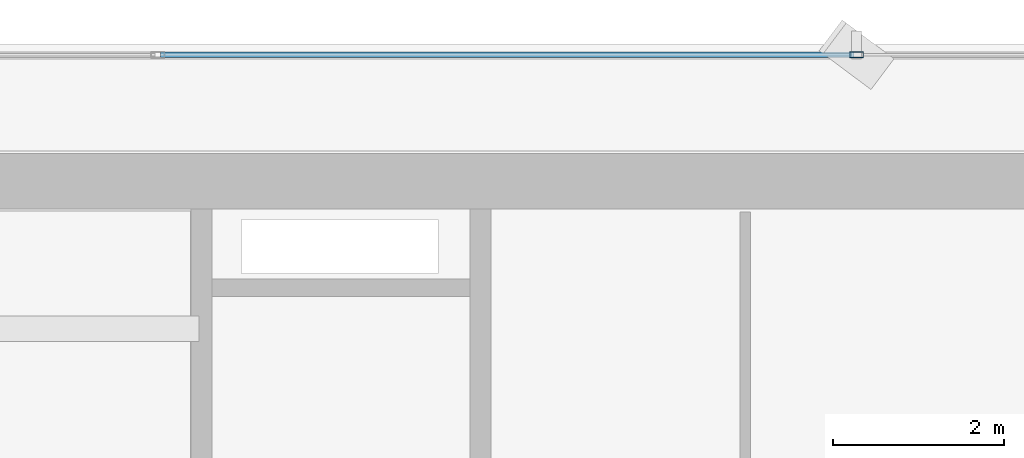
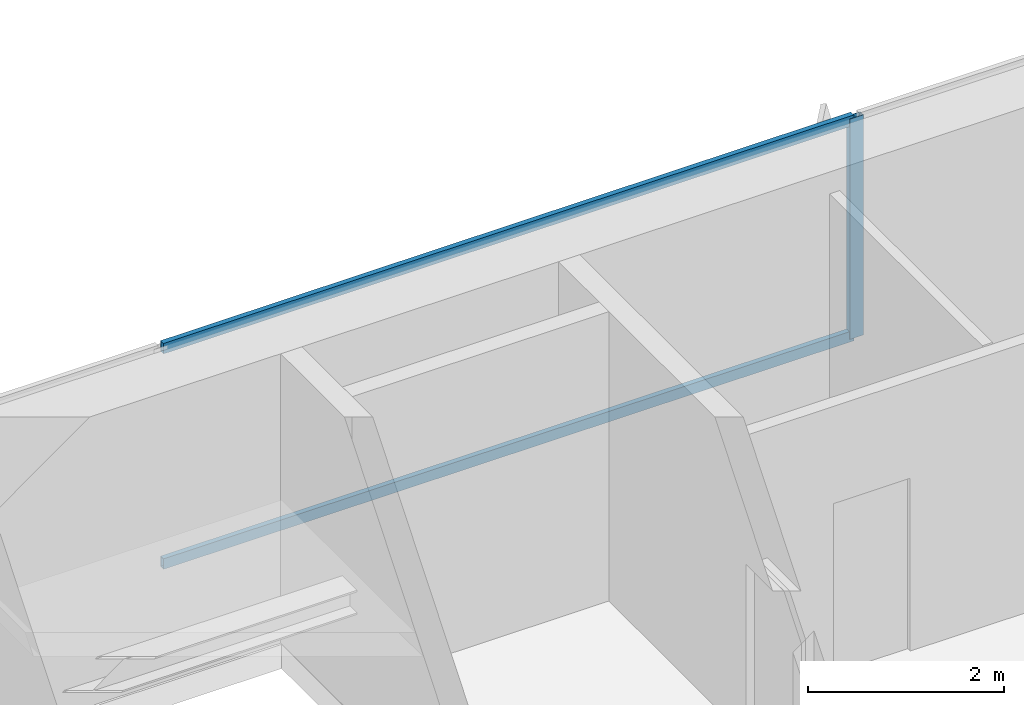
# One storey, part 21 of 36: 3 members, 1 element without a shape of its own.
"""IFC4 building model written with IfcOpenShell, lengths in metres."""

from ifc_helpers import new_model, si_unit, direction, frame, origin, origin_2d, place, context, subcontext, project, spatial, hollow_rectangle, extrude, source, transform, mapped, material, layer, layer_set, material_profile, profile_set, type_object, element, aggregate, save


model = new_model("IFC4")

# Units and contexts
model_context = context("Model", 3, precision=1e-05, world=origin(), true_north=direction((0.0, 1.0)))
body_context = subcontext(model_context, "Body", "Model", "MODEL_VIEW")
ifc_project = project(units=[si_unit("LENGTHUNIT", "METRE"), si_unit("AREAUNIT", "SQUARE_METRE"), si_unit("VOLUMEUNIT", "CUBIC_METRE"), si_unit("PLANEANGLEUNIT", "RADIAN"), si_unit("MASSUNIT", "GRAM", prefix="KILO")], contexts=[model_context])

# Site, building, storey
site_placement = place(None, origin())
site = spatial("IfcSite", under=ifc_project, at=site_placement, CompositionType="ELEMENT")
building_placement = place(site_placement, origin())
building = spatial("IfcBuilding", under=site, at=building_placement, Name="Sumidabori Civic Tower", CompositionType="ELEMENT")
storey_placement = place(building_placement, frame((0.0, 0.0, 77.60009765625)))
storey = spatial("IfcBuildingStorey", under=building, at=storey_placement, Name="L19", CompositionType="ELEMENT", Elevation=77.60009765625)

# Curtain wall, members
ifc_material = material(Name="Anodised Bronze Aluminium AW-6063-T6", Category="aluminium")
ifc_layer = layer(ifc_material, 0.179931640625, Name="Anodised Bronze Aluminium AW-6063-T6")
ifc_layer_set = layer_set([ifc_layer], Name="Anodised Bronze Aluminium AW-6063-T6")
curtain_wall_type = type_object("IfcCurtainWallType", Name="CW-SYS-3", PredefinedType="NOTDEFINED", material=ifc_layer_set)
curtain_wall_placement = place(storey_placement, origin())
curtain_wall = element("IfcCurtainWall", 1, at=curtain_wall_placement, inside=storey, type_object=curtain_wall_type, Name="Curtain Wall CW:L19:R07", PredefinedType="NOTDEFINED")
ifc_material_profile_1 = material_profile(ifc_material, hollow_rectangle(XDim=0.06494140625, YDim=0.159912109375, WallThickness=0.0048828125, at=origin_2d()), Name="ALU MULLION 160x65")
ifc_profile_set_1 = profile_set([ifc_material_profile_1], Name="Anodised Bronze Aluminium AW-6063-T6")
member_type_1 = type_object("IfcMemberType", Name="CW-MUL-160", PredefinedType="MULLION", material=ifc_profile_set_1)
shared_shape_1 = source(origin(), body_context, "Body", "SweptSolid", [
    extrude(hollow_rectangle(XDim=0.06494140625, YDim=0.159912109375, WallThickness=0.0048828125, at=origin_2d()), origin(), (0.0, 0.0, 1.0), 2.739990234375),
])
member_1_placement = place(storey_placement, frame((-4.093994140625, 25.280029296875, 0.0), z_axis=(0.0, 0.0, 1.0), x_axis=(0.0, -1.0, 0.0)))
member_1 = element("IfcMember", 2, at=member_1_placement, type_object=member_type_1, Name="CW-3 mullion 4", PredefinedType="MULLION", context=body_context, shape_type="MappedRepresentation", body=[
    mapped(shared_shape_1, transform((0.0, 0.0, 0.0), x_axis=(1.0, 0.0, 0.0), y_axis=(0.0, 1.0, 0.0), z_axis=(0.0, 0.0, 1.0), scale=1.0)),
])
ifc_material_profile_2 = material_profile(ifc_material, hollow_rectangle(XDim=0.06005859375, YDim=0.1298828125, WallThickness=0.0048828125, at=origin_2d()), Name="ALU TRANSOM 130x60")
ifc_profile_set_2 = profile_set([ifc_material_profile_2], Name="Anodised Bronze Aluminium AW-6063-T6")
member_type_2 = type_object("IfcMemberType", Name="CW-TRN-130", PredefinedType="USERDEFINED", material=ifc_profile_set_2)
shared_shape_2 = source(origin(), body_context, "Body", "SweptSolid", [
    extrude(hollow_rectangle(XDim=0.06005859375, YDim=0.1298828125, WallThickness=0.0048828125, at=origin_2d()), origin(), (0.0, 0.0, 1.0), 8.123046875),
])
member_2_placement = place(storey_placement, frame((-4.12646484375, 25.280029296875, 0.02978515625), z_axis=(-1.0, 0.0, 0.0), x_axis=(0.0, -1.0, 0.0)))
member_2 = element("IfcMember", 3, at=member_2_placement, type_object=member_type_2, Name="CW-3 transom 4.1", ObjectType="TRANSOM", PredefinedType="USERDEFINED", context=body_context, shape_type="MappedRepresentation", body=[
    mapped(shared_shape_2, transform((0.0, 0.0, 0.0), x_axis=(1.0, 0.0, 0.0), y_axis=(0.0, 1.0, 0.0), z_axis=(0.0, 0.0, 1.0), scale=1.0)),
])
member_3_placement = place(storey_placement, frame((-4.12646484375, 25.280029296875, 2.7099609375), z_axis=(-1.0, 0.0, 0.0), x_axis=(0.0, -1.0, 0.0)))
member_3 = element("IfcMember", 4, at=member_3_placement, type_object=member_type_2, Name="CW-3 transom 4.2", ObjectType="TRANSOM", PredefinedType="USERDEFINED", context=body_context, shape_type="MappedRepresentation", body=[
    mapped(shared_shape_2, transform((0.0, 0.0, 0.0), x_axis=(1.0, 0.0, 0.0), y_axis=(0.0, 1.0, 0.0), z_axis=(0.0, 0.0, 1.0), scale=1.0)),
])
aggregate(curtain_wall, [member_1, member_2, member_3])

save(model, "model.ifc")
